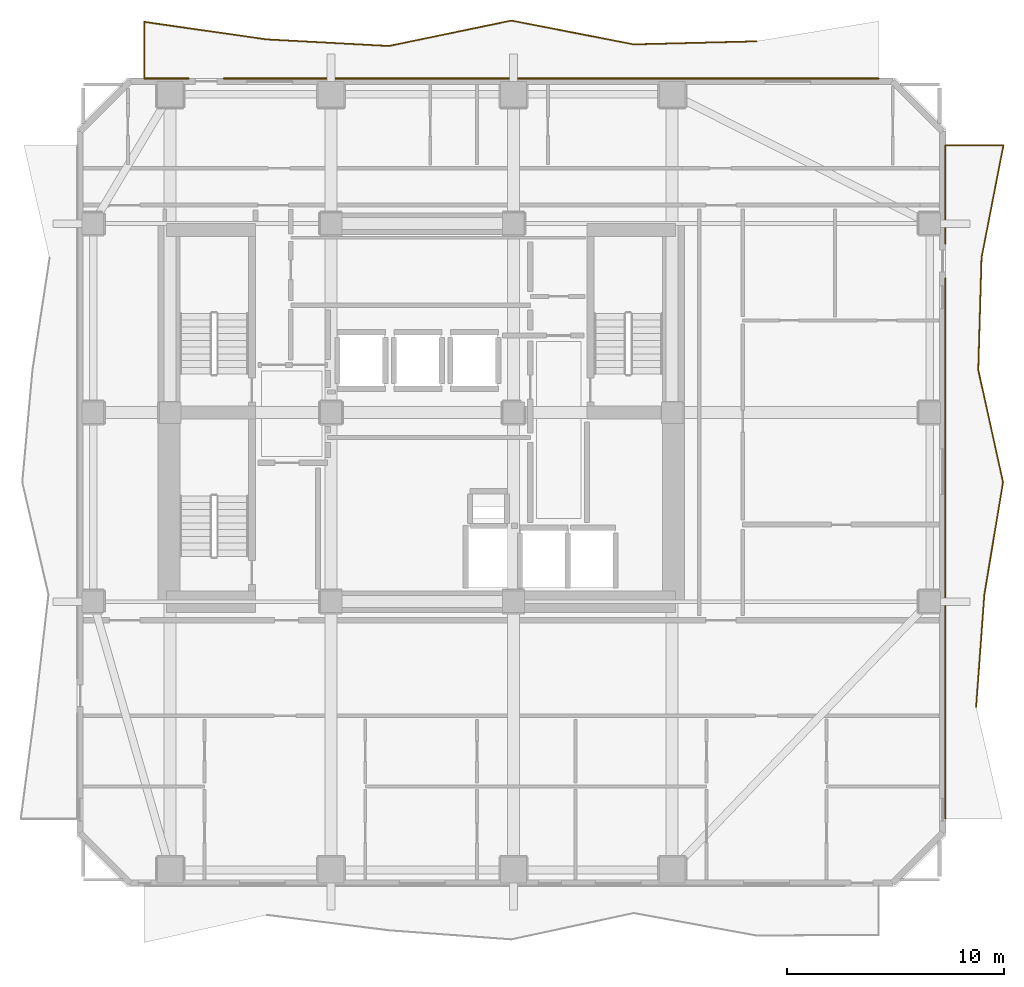
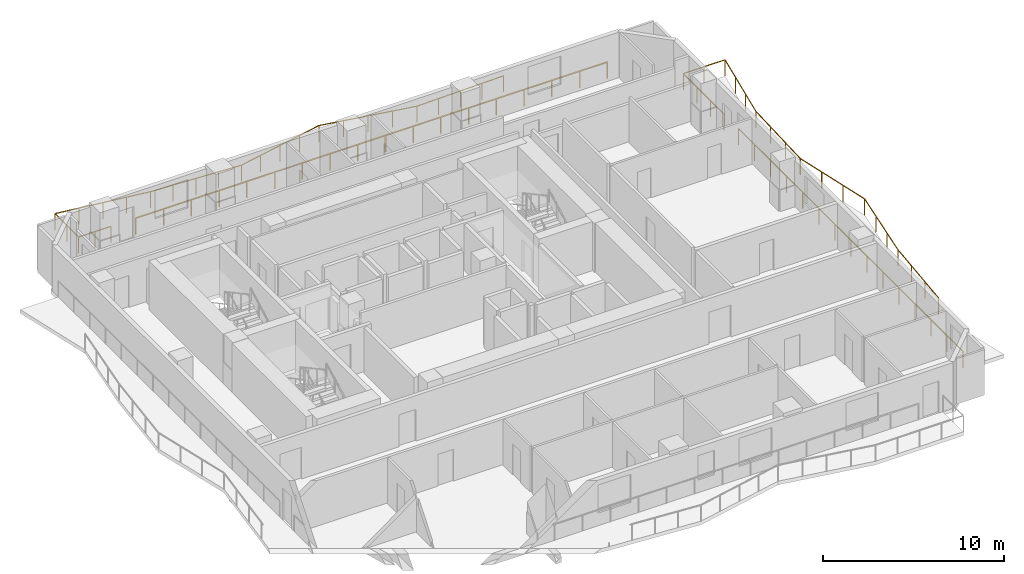
# One storey, part 9 of 9: 4 railings.
"""IFC4 building model written with IfcOpenShell, lengths in metres."""

from ifc_helpers import new_model, si_unit, direction, frame, origin, origin_2d, place, context, subcontext, project, spatial, rectangle, extrude, material, type_object, element, save


model = new_model("IFC4")

# Units and contexts
model_context = context("Model", 3, precision=1e-05, world=origin(), true_north=direction((0.0, 1.0)))
body_context = subcontext(model_context, "Body", "Model", "MODEL_VIEW")
ifc_project = project(units=[si_unit("LENGTHUNIT", "METRE"), si_unit("AREAUNIT", "SQUARE_METRE"), si_unit("VOLUMEUNIT", "CUBIC_METRE"), si_unit("PLANEANGLEUNIT", "RADIAN"), si_unit("MASSUNIT", "GRAM", prefix="KILO")], contexts=[model_context])

# Site, building, storey
site_placement = place(None, origin())
site = spatial("IfcSite", under=ifc_project, at=site_placement, CompositionType="ELEMENT")
building_placement = place(site_placement, origin())
building = spatial("IfcBuilding", under=site, at=building_placement, Name="Solanera Arch Residences", CompositionType="ELEMENT")
storey_placement = place(building_placement, frame((0.0, 0.0, 132.639892578125)))
storey = spatial("IfcBuildingStorey", under=building, at=storey_placement, Name="L38", CompositionType="ELEMENT", Elevation=132.639892578125)

# Railings
ifc_material = material(Name="Steel S355 (ASTM A992 / A572 Grade 50)", Category="steel")
railing_type = type_object("IfcRailingType", Name="Balustrade Railing BL-1100", PredefinedType="BALUSTRADE", material=ifc_material)
railing_1_placement = place(storey_placement, frame((40.366943359375, 47.7939453125, 0.0)))
element("IfcRailing", 1, at=railing_1_placement, inside=storey, type_object=railing_type, Name="L38 N Balcony Balustrade 1", PredefinedType="BALUSTRADE", context=body_context, shape_type="SweptSolid", body=[
    extrude(rectangle(XDim=0.048095703125, YDim=0.048095703125, at=origin_2d()), frame((0.0, 0.0, 1.09619140625), z_axis=(-0.999687565229, -0.024995438104, 0.0), x_axis=(0.024995438104, -0.999687565229, 0.0)), (0.0, 0.0, 1.0), 5.6357421875),
    extrude(rectangle(XDim=0.048095703125, YDim=0.048095703125, at=origin_2d()), frame((-5.634033203125, -0.140869140625, 1.09619140625), z_axis=(-0.981625131303, 0.19081955244, 0.0), x_axis=(-0.19081955244, -0.981625131303, 0.0)), (0.0, 0.0, 1.0), 5.73828125),
    extrude(rectangle(XDim=0.048095703125, YDim=0.048095703125, at=origin_2d()), frame((-11.266845703125, 0.9541015625, 1.09619140625), z_axis=(-0.979140050425, -0.20318651937, 0.0), x_axis=(0.20318651937, -0.979140050425, 0.0)), (0.0, 0.0, 1.0), 5.753173828125),
    extrude(rectangle(XDim=0.048095703125, YDim=0.048095703125, at=origin_2d()), frame((-16.89990234375, -0.21484375, 1.09619140625), z_axis=(-0.998547877576, 0.053871478424, 0.0), x_axis=(-0.053871478424, -0.998547877576, 0.0)), (0.0, 0.0, 1.0), 5.642333984375),
    extrude(rectangle(XDim=0.048095703125, YDim=0.048095703125, at=origin_2d()), frame((-22.533935546875, 0.089111328125, 1.09619140625), z_axis=(-0.989920297985, 0.141625575506, 0.0), x_axis=(-0.141625575506, -0.989920297985, 0.0)), (0.0, 0.0, 1.0), 5.6904296875),
    extrude(rectangle(XDim=0.048095703125, YDim=0.048095703125, at=origin_2d()), frame((-28.1669921875, 0.89501953125, 1.09619140625), z_axis=(0.0, -1.0, 0.0), x_axis=(1.0, 0.0, 0.0)), (0.0, 0.0, 1.0), 2.60888671875),
    extrude(rectangle(XDim=0.048095703125, YDim=0.048095703125, at=origin_2d()), frame((-28.1669921875, -1.7138671875, 1.09619140625), z_axis=(1.0, 0.0, 0.0), x_axis=(0.0, 1.0, 0.0)), (0.0, 0.0, 1.0), 2.06396484375),
    extrude(rectangle(XDim=0.0419921875, YDim=0.0419921875, at=origin_2d()), origin(), (0.0, 0.0, 1.0), 1.072021484375),
    extrude(rectangle(XDim=0.0419921875, YDim=0.0419921875, at=origin_2d()), frame((-1.408447265625, -0.03515625, 0.0)), (0.0, 0.0, 1.0), 1.072021484375),
    extrude(rectangle(XDim=0.0419921875, YDim=0.0419921875, at=origin_2d()), frame((-2.81689453125, -0.0703125, 0.0)), (0.0, 0.0, 1.0), 1.072021484375),
    extrude(rectangle(XDim=0.0419921875, YDim=0.0419921875, at=origin_2d()), frame((-4.2255859375, -0.105712890625, 0.0)), (0.0, 0.0, 1.0), 1.072021484375),
    extrude(rectangle(XDim=0.0419921875, YDim=0.0419921875, at=origin_2d()), frame((-5.634033203125, -0.140869140625, 0.0)), (0.0, 0.0, 1.0), 1.072021484375),
    extrude(rectangle(XDim=0.0419921875, YDim=0.0419921875, at=origin_2d()), frame((-7.042236328125, 0.1328125, 0.0)), (0.0, 0.0, 1.0), 1.072021484375),
    extrude(rectangle(XDim=0.0419921875, YDim=0.0419921875, at=origin_2d()), frame((-8.450439453125, 0.40673828125, 0.0)), (0.0, 0.0, 1.0), 1.072021484375),
    extrude(rectangle(XDim=0.0419921875, YDim=0.0419921875, at=origin_2d()), frame((-9.858642578125, 0.680419921875, 0.0)), (0.0, 0.0, 1.0), 1.072021484375),
    extrude(rectangle(XDim=0.0419921875, YDim=0.0419921875, at=origin_2d()), frame((-11.266845703125, 0.9541015625, 0.0)), (0.0, 0.0, 1.0), 1.072021484375),
    extrude(rectangle(XDim=0.0419921875, YDim=0.0419921875, at=origin_2d()), frame((-12.675048828125, 0.661865234375, 0.0)), (0.0, 0.0, 1.0), 1.072021484375),
    extrude(rectangle(XDim=0.0419921875, YDim=0.0419921875, at=origin_2d()), frame((-14.08349609375, 0.36962890625, 0.0)), (0.0, 0.0, 1.0), 1.072021484375),
    extrude(rectangle(XDim=0.0419921875, YDim=0.0419921875, at=origin_2d()), frame((-15.49169921875, 0.077392578125, 0.0)), (0.0, 0.0, 1.0), 1.072021484375),
    extrude(rectangle(XDim=0.0419921875, YDim=0.0419921875, at=origin_2d()), frame((-16.89990234375, -0.21484375, 0.0)), (0.0, 0.0, 1.0), 1.072021484375),
    extrude(rectangle(XDim=0.0419921875, YDim=0.0419921875, at=origin_2d()), frame((-18.308349609375, -0.138916015625, 0.0)), (0.0, 0.0, 1.0), 1.072021484375),
    extrude(rectangle(XDim=0.0419921875, YDim=0.0419921875, at=origin_2d()), frame((-19.716796875, -0.06298828125, 0.0)), (0.0, 0.0, 1.0), 1.072021484375),
    extrude(rectangle(XDim=0.0419921875, YDim=0.0419921875, at=origin_2d()), frame((-21.12548828125, 0.01318359375, 0.0)), (0.0, 0.0, 1.0), 1.072021484375),
    extrude(rectangle(XDim=0.0419921875, YDim=0.0419921875, at=origin_2d()), frame((-22.533935546875, 0.089111328125, 0.0)), (0.0, 0.0, 1.0), 1.072021484375),
    extrude(rectangle(XDim=0.0419921875, YDim=0.0419921875, at=origin_2d()), frame((-23.942138671875, 0.29052734375, 0.0)), (0.0, 0.0, 1.0), 1.072021484375),
    extrude(rectangle(XDim=0.0419921875, YDim=0.0419921875, at=origin_2d()), frame((-25.3505859375, 0.4921875, 0.0)), (0.0, 0.0, 1.0), 1.072021484375),
    extrude(rectangle(XDim=0.0419921875, YDim=0.0419921875, at=origin_2d()), frame((-26.7587890625, 0.693603515625, 0.0)), (0.0, 0.0, 1.0), 1.072021484375),
    extrude(rectangle(XDim=0.0419921875, YDim=0.0419921875, at=origin_2d()), frame((-28.1669921875, 0.89501953125, 0.0)), (0.0, 0.0, 1.0), 1.072021484375),
    extrude(rectangle(XDim=0.0419921875, YDim=0.0419921875, at=origin_2d()), frame((-28.1669921875, -0.409423828125, 0.0)), (0.0, 0.0, 1.0), 1.072021484375),
    extrude(rectangle(XDim=0.0419921875, YDim=0.0419921875, at=origin_2d()), frame((-28.1669921875, -1.7138671875, 0.0)), (0.0, 0.0, 1.0), 1.072021484375),
    extrude(rectangle(XDim=0.0419921875, YDim=0.0419921875, at=origin_2d()), frame((-27.135009765625, -1.7138671875, 0.0)), (0.0, 0.0, 1.0), 1.072021484375),
    extrude(rectangle(XDim=0.0419921875, YDim=0.0419921875, at=origin_2d()), frame((-26.10302734375, -1.7138671875, 0.0)), (0.0, 0.0, 1.0), 1.072021484375),
])
railing_2_placement = place(storey_placement, frame((15.864013671875, 46.080078125, 0.0)))
element("IfcRailing", 2, at=railing_2_placement, inside=storey, type_object=railing_type, Name="L38 N Balcony Balustrade 2", PredefinedType="BALUSTRADE", context=body_context, shape_type="SweptSolid", body=[
    extrude(rectangle(XDim=0.048095703125, YDim=0.048095703125, at=origin_2d()), frame((0.0, 0.0, 1.09619140625), z_axis=(1.0, 0.0, 0.0), x_axis=(0.0, 1.0, 0.0)), (0.0, 0.0, 1.0), 30.135986328125),
    extrude(rectangle(XDim=0.0419921875, YDim=0.0419921875, at=origin_2d()), origin(), (0.0, 0.0, 1.0), 1.072021484375),
    extrude(rectangle(XDim=0.0419921875, YDim=0.0419921875, at=origin_2d()), frame((1.772705078125, 0.0, 0.0)), (0.0, 0.0, 1.0), 1.072021484375),
    extrude(rectangle(XDim=0.0419921875, YDim=0.0419921875, at=origin_2d()), frame((3.54541015625, 0.0, 0.0)), (0.0, 0.0, 1.0), 1.072021484375),
    extrude(rectangle(XDim=0.0419921875, YDim=0.0419921875, at=origin_2d()), frame((5.318115234375, 0.0, 0.0)), (0.0, 0.0, 1.0), 1.072021484375),
    extrude(rectangle(XDim=0.0419921875, YDim=0.0419921875, at=origin_2d()), frame((7.0908203125, 0.0, 0.0)), (0.0, 0.0, 1.0), 1.072021484375),
    extrude(rectangle(XDim=0.0419921875, YDim=0.0419921875, at=origin_2d()), frame((8.863525390625, 0.0, 0.0)), (0.0, 0.0, 1.0), 1.072021484375),
    extrude(rectangle(XDim=0.0419921875, YDim=0.0419921875, at=origin_2d()), frame((10.63623046875, 0.0, 0.0)), (0.0, 0.0, 1.0), 1.072021484375),
    extrude(rectangle(XDim=0.0419921875, YDim=0.0419921875, at=origin_2d()), frame((12.408935546875, 0.0, 0.0)), (0.0, 0.0, 1.0), 1.072021484375),
    extrude(rectangle(XDim=0.0419921875, YDim=0.0419921875, at=origin_2d()), frame((14.181640625, 0.0, 0.0)), (0.0, 0.0, 1.0), 1.072021484375),
    extrude(rectangle(XDim=0.0419921875, YDim=0.0419921875, at=origin_2d()), frame((15.954345703125, 0.0, 0.0)), (0.0, 0.0, 1.0), 1.072021484375),
    extrude(rectangle(XDim=0.0419921875, YDim=0.0419921875, at=origin_2d()), frame((17.72705078125, 0.0, 0.0)), (0.0, 0.0, 1.0), 1.072021484375),
    extrude(rectangle(XDim=0.0419921875, YDim=0.0419921875, at=origin_2d()), frame((19.499755859375, 0.0, 0.0)), (0.0, 0.0, 1.0), 1.072021484375),
    extrude(rectangle(XDim=0.0419921875, YDim=0.0419921875, at=origin_2d()), frame((21.2724609375, 0.0, 0.0)), (0.0, 0.0, 1.0), 1.072021484375),
    extrude(rectangle(XDim=0.0419921875, YDim=0.0419921875, at=origin_2d()), frame((23.045166015625, 0.0, 0.0)), (0.0, 0.0, 1.0), 1.072021484375),
    extrude(rectangle(XDim=0.0419921875, YDim=0.0419921875, at=origin_2d()), frame((24.81787109375, 0.0, 0.0)), (0.0, 0.0, 1.0), 1.072021484375),
    extrude(rectangle(XDim=0.0419921875, YDim=0.0419921875, at=origin_2d()), frame((26.590576171875, 0.0, 0.0)), (0.0, 0.0, 1.0), 1.072021484375),
    extrude(rectangle(XDim=0.0419921875, YDim=0.0419921875, at=origin_2d()), frame((28.36328125, 0.0, 0.0)), (0.0, 0.0, 1.0), 1.072021484375),
    extrude(rectangle(XDim=0.0419921875, YDim=0.0419921875, at=origin_2d()), frame((30.135986328125, 0.0, 0.0)), (0.0, 0.0, 1.0), 1.072021484375),
])
railing_3_placement = place(storey_placement, frame((50.493896484375, 17.1669921875, 0.0)))
element("IfcRailing", 3, at=railing_3_placement, inside=storey, type_object=railing_type, Name="L38 E Balcony Balustrade 1", PredefinedType="BALUSTRADE", context=body_context, shape_type="SweptSolid", body=[
    extrude(rectangle(XDim=0.048095703125, YDim=0.048095703125, at=origin_2d()), frame((0.0, 0.0, 1.09619140625), z_axis=(0.073383836115, 0.997303771474, 0.0), x_axis=(-0.997303771474, 0.073383836115, 0.0)), (0.0, 0.0, 1.0), 5.179931640625),
    extrude(rectangle(XDim=0.048095703125, YDim=0.048095703125, at=origin_2d()), frame((0.380126953125, 5.166015625, 1.09619140625), z_axis=(0.16379426133, 0.986494520996, 0.0), x_axis=(-0.986494520996, 0.16379426133, 0.0)), (0.0, 0.0, 1.0), 5.23779296875),
    extrude(rectangle(XDim=0.048095703125, YDim=0.048095703125, at=origin_2d()), frame((1.238037109375, 10.3330078125, 1.09619140625), z_axis=(-0.215254354327, 0.976558018217, 0.0), x_axis=(-0.976558018217, -0.215254354327, 0.0)), (0.0, 0.0, 1.0), 5.291015625),
    extrude(rectangle(XDim=0.048095703125, YDim=0.048095703125, at=origin_2d()), frame((0.09912109375, 15.5, 1.09619140625), z_axis=(0.029004804967, 0.999579272138, 0.0), x_axis=(-0.999579272138, 0.029004804967, 0.0)), (0.0, 0.0, 1.0), 5.168212890625),
    extrude(rectangle(XDim=0.048095703125, YDim=0.048095703125, at=origin_2d()), frame((0.2490234375, 20.666015625, 1.09619140625), z_axis=(0.191306587283, 0.981530330485, 0.0), x_axis=(-0.981530330485, 0.191306587283, 0.0)), (0.0, 0.0, 1.0), 5.26416015625),
    extrude(rectangle(XDim=0.048095703125, YDim=0.048095703125, at=origin_2d()), frame((1.256103515625, 25.8330078125, 1.09619140625), z_axis=(-1.0, 0.0, 0.0), x_axis=(0.0, -1.0, 0.0)), (0.0, 0.0, 1.0), 2.669921875),
    extrude(rectangle(XDim=0.048095703125, YDim=0.048095703125, at=origin_2d()), frame((-1.413818359375, 25.8330078125, 1.09619140625), z_axis=(0.0, -1.0, 0.0), x_axis=(1.0, 0.0, 0.0)), (0.0, 0.0, 1.0), 4.52197265625),
    extrude(rectangle(XDim=0.0419921875, YDim=0.0419921875, at=origin_2d()), origin(), (0.0, 0.0, 1.0), 1.072021484375),
    extrude(rectangle(XDim=0.0419921875, YDim=0.0419921875, at=origin_2d()), frame((0.126708984375, 1.721923828125, 0.0)), (0.0, 0.0, 1.0), 1.072021484375),
    extrude(rectangle(XDim=0.0419921875, YDim=0.0419921875, at=origin_2d()), frame((0.25341796875, 3.444091796875, 0.0)), (0.0, 0.0, 1.0), 1.072021484375),
    extrude(rectangle(XDim=0.0419921875, YDim=0.0419921875, at=origin_2d()), frame((0.380126953125, 5.166015625, 0.0)), (0.0, 0.0, 1.0), 1.072021484375),
    extrude(rectangle(XDim=0.0419921875, YDim=0.0419921875, at=origin_2d()), frame((0.666015625, 6.888427734375, 0.0)), (0.0, 0.0, 1.0), 1.072021484375),
    extrude(rectangle(XDim=0.0419921875, YDim=0.0419921875, at=origin_2d()), frame((0.9521484375, 8.610595703125, 0.0)), (0.0, 0.0, 1.0), 1.072021484375),
    extrude(rectangle(XDim=0.0419921875, YDim=0.0419921875, at=origin_2d()), frame((1.238037109375, 10.3330078125, 0.0)), (0.0, 0.0, 1.0), 1.072021484375),
    extrude(rectangle(XDim=0.0419921875, YDim=0.0419921875, at=origin_2d()), frame((0.8583984375, 12.055419921875, 0.0)), (0.0, 0.0, 1.0), 1.072021484375),
    extrude(rectangle(XDim=0.0419921875, YDim=0.0419921875, at=origin_2d()), frame((0.478759765625, 13.777587890625, 0.0)), (0.0, 0.0, 1.0), 1.072021484375),
    extrude(rectangle(XDim=0.0419921875, YDim=0.0419921875, at=origin_2d()), frame((0.09912109375, 15.5, 0.0)), (0.0, 0.0, 1.0), 1.072021484375),
    extrude(rectangle(XDim=0.0419921875, YDim=0.0419921875, at=origin_2d()), frame((0.149169921875, 17.221923828125, 0.0)), (0.0, 0.0, 1.0), 1.072021484375),
    extrude(rectangle(XDim=0.0419921875, YDim=0.0419921875, at=origin_2d()), frame((0.198974609375, 18.944091796875, 0.0)), (0.0, 0.0, 1.0), 1.072021484375),
    extrude(rectangle(XDim=0.0419921875, YDim=0.0419921875, at=origin_2d()), frame((0.2490234375, 20.666015625, 0.0)), (0.0, 0.0, 1.0), 1.072021484375),
    extrude(rectangle(XDim=0.0419921875, YDim=0.0419921875, at=origin_2d()), frame((0.584716796875, 22.388427734375, 0.0)), (0.0, 0.0, 1.0), 1.072021484375),
    extrude(rectangle(XDim=0.0419921875, YDim=0.0419921875, at=origin_2d()), frame((0.92041015625, 24.110595703125, 0.0)), (0.0, 0.0, 1.0), 1.072021484375),
    extrude(rectangle(XDim=0.0419921875, YDim=0.0419921875, at=origin_2d()), frame((1.256103515625, 25.8330078125, 0.0)), (0.0, 0.0, 1.0), 1.072021484375),
    extrude(rectangle(XDim=0.0419921875, YDim=0.0419921875, at=origin_2d()), frame((-0.078857421875, 25.8330078125, 0.0)), (0.0, 0.0, 1.0), 1.072021484375),
    extrude(rectangle(XDim=0.0419921875, YDim=0.0419921875, at=origin_2d()), frame((-1.413818359375, 25.8330078125, 0.0)), (0.0, 0.0, 1.0), 1.072021484375),
    extrude(rectangle(XDim=0.0419921875, YDim=0.0419921875, at=origin_2d()), frame((-1.413818359375, 24.32568359375, 0.0)), (0.0, 0.0, 1.0), 1.072021484375),
    extrude(rectangle(XDim=0.0419921875, YDim=0.0419921875, at=origin_2d()), frame((-1.413818359375, 22.818359375, 0.0)), (0.0, 0.0, 1.0), 1.072021484375),
    extrude(rectangle(XDim=0.0419921875, YDim=0.0419921875, at=origin_2d()), frame((-1.413818359375, 21.31103515625, 0.0)), (0.0, 0.0, 1.0), 1.072021484375),
])
railing_4_placement = place(storey_placement, frame((49.080078125, 36.8779296875, 0.0)))
element("IfcRailing", 4, at=railing_4_placement, inside=storey, type_object=railing_type, Name="L38 E Balcony Balustrade 2", PredefinedType="BALUSTRADE", context=body_context, shape_type="SweptSolid", body=[
    extrude(rectangle(XDim=0.048095703125, YDim=0.048095703125, at=origin_2d()), frame((0.0, 0.0, 1.09619140625), z_axis=(0.0, -1.0, 0.0), x_axis=(1.0, 0.0, 0.0)), (0.0, 0.0, 1.0), 24.8779296875),
    extrude(rectangle(XDim=0.0419921875, YDim=0.0419921875, at=origin_2d()), origin(), (0.0, 0.0, 1.0), 1.072021484375),
    extrude(rectangle(XDim=0.0419921875, YDim=0.0419921875, at=origin_2d()), frame((0.0, -1.777099609375, 0.0)), (0.0, 0.0, 1.0), 1.072021484375),
    extrude(rectangle(XDim=0.0419921875, YDim=0.0419921875, at=origin_2d()), frame((0.0, -3.553955078125, 0.0)), (0.0, 0.0, 1.0), 1.072021484375),
    extrude(rectangle(XDim=0.0419921875, YDim=0.0419921875, at=origin_2d()), frame((0.0, -5.3310546875, 0.0)), (0.0, 0.0, 1.0), 1.072021484375),
    extrude(rectangle(XDim=0.0419921875, YDim=0.0419921875, at=origin_2d()), frame((0.0, -7.10791015625, 0.0)), (0.0, 0.0, 1.0), 1.072021484375),
    extrude(rectangle(XDim=0.0419921875, YDim=0.0419921875, at=origin_2d()), frame((0.0, -8.885009765625, 0.0)), (0.0, 0.0, 1.0), 1.072021484375),
    extrude(rectangle(XDim=0.0419921875, YDim=0.0419921875, at=origin_2d()), frame((0.0, -10.661865234375, 0.0)), (0.0, 0.0, 1.0), 1.072021484375),
    extrude(rectangle(XDim=0.0419921875, YDim=0.0419921875, at=origin_2d()), frame((0.0, -12.43896484375, 0.0)), (0.0, 0.0, 1.0), 1.072021484375),
    extrude(rectangle(XDim=0.0419921875, YDim=0.0419921875, at=origin_2d()), frame((0.0, -14.216064453125, 0.0)), (0.0, 0.0, 1.0), 1.072021484375),
    extrude(rectangle(XDim=0.0419921875, YDim=0.0419921875, at=origin_2d()), frame((0.0, -15.992919921875, 0.0)), (0.0, 0.0, 1.0), 1.072021484375),
    extrude(rectangle(XDim=0.0419921875, YDim=0.0419921875, at=origin_2d()), frame((0.0, -17.77001953125, 0.0)), (0.0, 0.0, 1.0), 1.072021484375),
    extrude(rectangle(XDim=0.0419921875, YDim=0.0419921875, at=origin_2d()), frame((0.0, -19.546875, 0.0)), (0.0, 0.0, 1.0), 1.072021484375),
    extrude(rectangle(XDim=0.0419921875, YDim=0.0419921875, at=origin_2d()), frame((0.0, -21.323974609375, 0.0)), (0.0, 0.0, 1.0), 1.072021484375),
    extrude(rectangle(XDim=0.0419921875, YDim=0.0419921875, at=origin_2d()), frame((0.0, -23.100830078125, 0.0)), (0.0, 0.0, 1.0), 1.072021484375),
    extrude(rectangle(XDim=0.0419921875, YDim=0.0419921875, at=origin_2d()), frame((0.0, -24.8779296875, 0.0)), (0.0, 0.0, 1.0), 1.072021484375),
])

save(model, "model.ifc")
